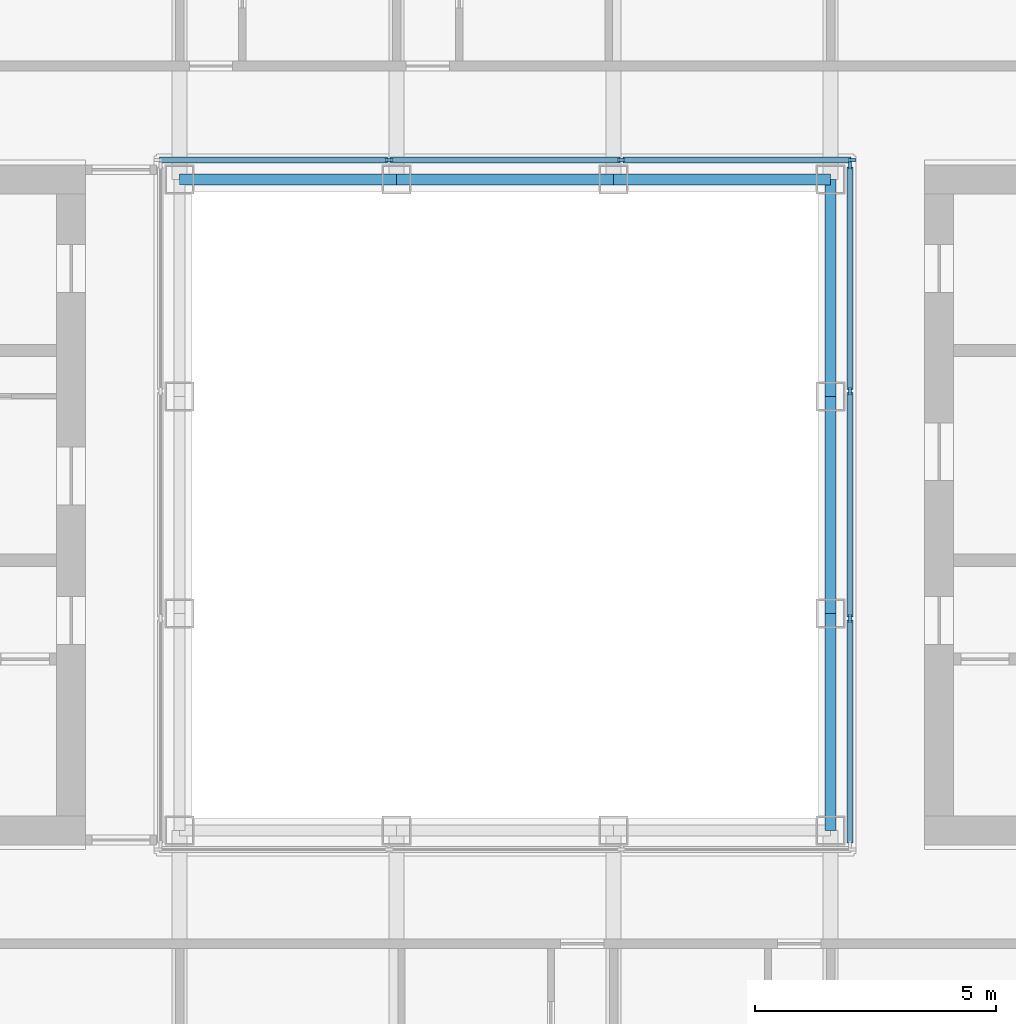
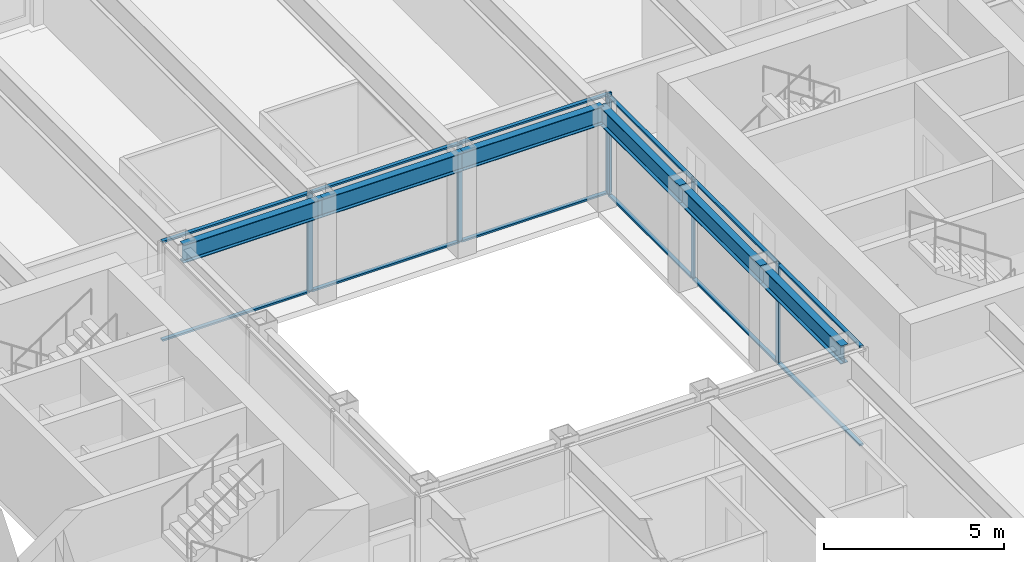
# One storey, part 5 of 17: 18 members, 6 beams, 2 elements without a shape of their own.
"""IFC4 building model written with IfcOpenShell, lengths in metres."""

from ifc_helpers import new_model, si_unit, direction, frame, origin, origin_2d, place, context, subcontext, project, spatial, rectangle, i_section, extrude, material, material_profile, profile_set, type_object, element, aggregate, save


model = new_model("IFC4")

# Units and contexts
model_context = context("Model", 3, precision=1e-05, world=origin(), true_north=direction((0.0, 1.0)))
body_context = subcontext(model_context, "Body", "Model", "MODEL_VIEW")
ifc_project = project(units=[si_unit("LENGTHUNIT", "METRE"), si_unit("AREAUNIT", "SQUARE_METRE"), si_unit("VOLUMEUNIT", "CUBIC_METRE"), si_unit("PLANEANGLEUNIT", "RADIAN"), si_unit("MASSUNIT", "GRAM", prefix="KILO")], contexts=[model_context])

# Site, building, storey
site_placement = place(None, origin())
site = spatial("IfcSite", under=ifc_project, at=site_placement, CompositionType="ELEMENT")
building_placement = place(site_placement, origin())
building = spatial("IfcBuilding", under=site, at=building_placement, Name="Msasa Ring Tower", CompositionType="ELEMENT")
storey_placement = place(building_placement, frame((0.0, 0.0, 168.800048828125)))
storey = spatial("IfcBuildingStorey", under=building, at=storey_placement, Name="L44", CompositionType="ELEMENT", Elevation=168.800048828125)

# Curtain wall, members
ifc_material_1 = material(Name="Aluminium curtain wall with clear glass", Category="aluminium")
curtain_wall_type = type_object("IfcCurtainWallType", Name="CW-W LIGHT WELL CURTAIN WALL", PredefinedType="NOTDEFINED", material=ifc_material_1)
curtain_wall_1_placement = place(storey_placement, origin())
curtain_wall_1 = element("IfcCurtainWall", 1, at=curtain_wall_1_placement, inside=storey, type_object=curtain_wall_type, Name="Light well curtain wall N L44", PredefinedType="NOTDEFINED")
ifc_material_2 = material(Name="Aluminium mullion", Category="aluminium")
ifc_material_profile_1 = material_profile(ifc_material_2, rectangle(XDim=0.06005859375, YDim=0.159912109375, at=origin_2d()), Name="AL 60x160")
ifc_profile_set_1 = profile_set([ifc_material_profile_1], Name="Aluminium mullion")
member_type_1 = type_object("IfcMemberType", Name="CW-W MULLION 60x160", PredefinedType="MULLION", material=ifc_profile_set_1)
member_1_placement = place(storey_placement, frame((-2.409912109375, 7.14990234375, 0.0), z_axis=(0.0, 0.0, 1.0), x_axis=(0.0, 1.0, 0.0)))
member_1 = element("IfcMember", 2, at=member_1_placement, type_object=member_type_1, Name="CW-W mullion 2", PredefinedType="MULLION", context=body_context, shape_type="SweptSolid", body=[
    extrude(rectangle(XDim=0.06005859375, YDim=0.159912109375, at=origin_2d()), origin(), (0.0, 0.0, 1.0), 3.39990234375),
])
member_2_placement = place(storey_placement, frame((2.409912109375, 7.14990234375, 0.0), z_axis=(0.0, 0.0, 1.0), x_axis=(0.0, 1.0, 0.0)))
member_2 = element("IfcMember", 3, at=member_2_placement, type_object=member_type_1, Name="CW-W mullion 3", PredefinedType="MULLION", context=body_context, shape_type="SweptSolid", body=[
    extrude(rectangle(XDim=0.06005859375, YDim=0.159912109375, at=origin_2d()), origin(), (0.0, 0.0, 1.0), 3.39990234375),
])
member_3_placement = place(storey_placement, frame((7.199951171875, 7.14990234375, 0.0), z_axis=(0.0, 0.0, 1.0), x_axis=(0.0, 1.0, 0.0)))
member_3 = element("IfcMember", 4, at=member_3_placement, type_object=member_type_1, Name="CW-W mullion 4", PredefinedType="MULLION", context=body_context, shape_type="SweptSolid", body=[
    extrude(rectangle(XDim=0.06005859375, YDim=0.159912109375, at=origin_2d()), origin(), (0.0, 0.0, 1.0), 3.39990234375),
])

curtain_wall_2_placement = place(storey_placement, origin())
curtain_wall_2 = element("IfcCurtainWall", 5, at=curtain_wall_2_placement, inside=storey, type_object=curtain_wall_type, Name="Light well curtain wall E L44", PredefinedType="NOTDEFINED")
member_4_placement = place(storey_placement, frame((7.14990234375, -2.356689453125, 0.0), z_axis=(0.0, 0.0, 1.0), x_axis=(-1.0, 0.0, 0.0)))
member_4 = element("IfcMember", 6, at=member_4_placement, type_object=member_type_1, Name="CW-W mullion 2", PredefinedType="MULLION", context=body_context, shape_type="SweptSolid", body=[
    extrude(rectangle(XDim=0.06005859375, YDim=0.159912109375, at=origin_2d()), origin(), (0.0, 0.0, 1.0), 3.39990234375),
])
member_5_placement = place(storey_placement, frame((7.14990234375, 2.356689453125, 0.0), z_axis=(0.0, 0.0, 1.0), x_axis=(-1.0, 0.0, 0.0)))
member_5 = element("IfcMember", 7, at=member_5_placement, type_object=member_type_1, Name="CW-W mullion 3", PredefinedType="MULLION", context=body_context, shape_type="SweptSolid", body=[
    extrude(rectangle(XDim=0.06005859375, YDim=0.159912109375, at=origin_2d()), origin(), (0.0, 0.0, 1.0), 3.39990234375),
])
member_6_placement = place(storey_placement, frame((7.14990234375, 7.0400390625, 0.0), z_axis=(0.0, 0.0, 1.0), x_axis=(-1.0, 0.0, 0.0)))
member_6 = element("IfcMember", 8, at=member_6_placement, type_object=member_type_1, Name="CW-W mullion 4", PredefinedType="MULLION", context=body_context, shape_type="SweptSolid", body=[
    extrude(rectangle(XDim=0.06005859375, YDim=0.159912109375, at=origin_2d()), origin(), (0.0, 0.0, 1.0), 3.39990234375),
])

# Member
ifc_material_3 = material(Name="Aluminium transom", Category="aluminium")
ifc_material_profile_2 = material_profile(ifc_material_3, rectangle(XDim=0.1201171875, YDim=0.06005859375, at=origin_2d()), Name="AL 60x120")
ifc_profile_set_2 = profile_set([ifc_material_profile_2], Name="Aluminium transom")
member_type_2 = type_object("IfcMemberType", Name="CW-W TRANSOM 60x120", PredefinedType="USERDEFINED", material=ifc_profile_set_2)
member_7_placement = place(storey_placement, frame((-7.169921875, 7.14990234375, 0.030029296875), z_axis=(1.0, 0.0, 0.0), x_axis=(0.0, 1.0, 0.0)))
member_7 = element("IfcMember", 9, at=member_7_placement, type_object=member_type_2, Name="CW-W transom 1.1", ObjectType="TRANSOM", PredefinedType="USERDEFINED", context=body_context, shape_type="SweptSolid", body=[
    extrude(rectangle(XDim=0.1201171875, YDim=0.06005859375, at=origin_2d()), origin(), (0.0, 0.0, 1.0), 4.72998046875),
])

member_8_placement = place(storey_placement, frame((-7.169921875, 7.14990234375, 3.369873046875), z_axis=(1.0, 0.0, 0.0), x_axis=(0.0, 1.0, 0.0)))
member_8 = element("IfcMember", 10, at=member_8_placement, type_object=member_type_2, Name="CW-W transom 1.2", ObjectType="TRANSOM", PredefinedType="USERDEFINED", context=body_context, shape_type="SweptSolid", body=[
    extrude(rectangle(XDim=0.1201171875, YDim=0.06005859375, at=origin_2d()), origin(), (0.0, 0.0, 1.0), 4.72998046875),
])

member_9_placement = place(storey_placement, frame((-2.3798828125, 7.14990234375, 0.030029296875), z_axis=(1.0, 0.0, 0.0), x_axis=(0.0, 1.0, 0.0)))
member_9 = element("IfcMember", 11, at=member_9_placement, type_object=member_type_2, Name="CW-W transom 2.1", ObjectType="TRANSOM", PredefinedType="USERDEFINED", context=body_context, shape_type="SweptSolid", body=[
    extrude(rectangle(XDim=0.1201171875, YDim=0.06005859375, at=origin_2d()), origin(), (0.0, 0.0, 1.0), 4.759765625),
])

member_10_placement = place(storey_placement, frame((-2.3798828125, 7.14990234375, 3.369873046875), z_axis=(1.0, 0.0, 0.0), x_axis=(0.0, 1.0, 0.0)))
member_10 = element("IfcMember", 12, at=member_10_placement, type_object=member_type_2, Name="CW-W transom 2.2", ObjectType="TRANSOM", PredefinedType="USERDEFINED", context=body_context, shape_type="SweptSolid", body=[
    extrude(rectangle(XDim=0.1201171875, YDim=0.06005859375, at=origin_2d()), origin(), (0.0, 0.0, 1.0), 4.759765625),
])

member_11_placement = place(storey_placement, frame((2.43994140625, 7.14990234375, 0.030029296875), z_axis=(1.0, 0.0, 0.0), x_axis=(0.0, 1.0, 0.0)))
member_11 = element("IfcMember", 13, at=member_11_placement, type_object=member_type_2, Name="CW-W transom 3.1", ObjectType="TRANSOM", PredefinedType="USERDEFINED", context=body_context, shape_type="SweptSolid", body=[
    extrude(rectangle(XDim=0.1201171875, YDim=0.06005859375, at=origin_2d()), origin(), (0.0, 0.0, 1.0), 4.72998046875),
])

member_12_placement = place(storey_placement, frame((2.43994140625, 7.14990234375, 3.369873046875), z_axis=(1.0, 0.0, 0.0), x_axis=(0.0, 1.0, 0.0)))
member_12 = element("IfcMember", 14, at=member_12_placement, type_object=member_type_2, Name="CW-W transom 3.2", ObjectType="TRANSOM", PredefinedType="USERDEFINED", context=body_context, shape_type="SweptSolid", body=[
    extrude(rectangle(XDim=0.1201171875, YDim=0.06005859375, at=origin_2d()), origin(), (0.0, 0.0, 1.0), 4.72998046875),
])

aggregate(curtain_wall_1, [member_1, member_2, member_3, member_7, member_8, member_9, member_10, member_11, member_12])

member_13_placement = place(storey_placement, frame((7.14990234375, -7.010009765625, 0.030029296875), z_axis=(0.0, 1.0, 0.0), x_axis=(-1.0, 0.0, 0.0)))
member_13 = element("IfcMember", 15, at=member_13_placement, type_object=member_type_2, Name="CW-W transom 1.1", ObjectType="TRANSOM", PredefinedType="USERDEFINED", context=body_context, shape_type="SweptSolid", body=[
    extrude(rectangle(XDim=0.1201171875, YDim=0.06005859375, at=origin_2d()), origin(), (0.0, 0.0, 1.0), 4.623291015625),
])

member_14_placement = place(storey_placement, frame((7.14990234375, -7.010009765625, 3.369873046875), z_axis=(0.0, 1.0, 0.0), x_axis=(-1.0, 0.0, 0.0)))
member_14 = element("IfcMember", 16, at=member_14_placement, type_object=member_type_2, Name="CW-W transom 1.2", ObjectType="TRANSOM", PredefinedType="USERDEFINED", context=body_context, shape_type="SweptSolid", body=[
    extrude(rectangle(XDim=0.1201171875, YDim=0.06005859375, at=origin_2d()), origin(), (0.0, 0.0, 1.0), 4.623291015625),
])

member_15_placement = place(storey_placement, frame((7.14990234375, -2.32666015625, 0.030029296875), z_axis=(0.0, 1.0, 0.0), x_axis=(-1.0, 0.0, 0.0)))
member_15 = element("IfcMember", 17, at=member_15_placement, type_object=member_type_2, Name="CW-W transom 2.1", ObjectType="TRANSOM", PredefinedType="USERDEFINED", context=body_context, shape_type="SweptSolid", body=[
    extrude(rectangle(XDim=0.1201171875, YDim=0.06005859375, at=origin_2d()), origin(), (0.0, 0.0, 1.0), 4.6533203125),
])

member_16_placement = place(storey_placement, frame((7.14990234375, -2.32666015625, 3.369873046875), z_axis=(0.0, 1.0, 0.0), x_axis=(-1.0, 0.0, 0.0)))
member_16 = element("IfcMember", 18, at=member_16_placement, type_object=member_type_2, Name="CW-W transom 2.2", ObjectType="TRANSOM", PredefinedType="USERDEFINED", context=body_context, shape_type="SweptSolid", body=[
    extrude(rectangle(XDim=0.1201171875, YDim=0.06005859375, at=origin_2d()), origin(), (0.0, 0.0, 1.0), 4.6533203125),
])

member_17_placement = place(storey_placement, frame((7.14990234375, 2.38671875, 0.030029296875), z_axis=(0.0, 1.0, 0.0), x_axis=(-1.0, 0.0, 0.0)))
member_17 = element("IfcMember", 19, at=member_17_placement, type_object=member_type_2, Name="CW-W transom 3.1", ObjectType="TRANSOM", PredefinedType="USERDEFINED", context=body_context, shape_type="SweptSolid", body=[
    extrude(rectangle(XDim=0.1201171875, YDim=0.06005859375, at=origin_2d()), origin(), (0.0, 0.0, 1.0), 4.623291015625),
])

member_18_placement = place(storey_placement, frame((7.14990234375, 2.38671875, 3.369873046875), z_axis=(0.0, 1.0, 0.0), x_axis=(-1.0, 0.0, 0.0)))
member_18 = element("IfcMember", 20, at=member_18_placement, type_object=member_type_2, Name="CW-W transom 3.2", ObjectType="TRANSOM", PredefinedType="USERDEFINED", context=body_context, shape_type="SweptSolid", body=[
    extrude(rectangle(XDim=0.1201171875, YDim=0.06005859375, at=origin_2d()), origin(), (0.0, 0.0, 1.0), 4.623291015625),
])

aggregate(curtain_wall_2, [member_4, member_5, member_6, member_13, member_14, member_15, member_16, member_17, member_18])

# Beams
ifc_material_4 = material(Name="Steel S355", Category="steel")
ifc_material_profile_3 = material_profile(ifc_material_4, i_section(OverallWidth=0.230224609375, OverallDepth=0.6171875, WebThickness=0.01318359375, FlangeThickness=0.022216796875, FilletRadius=0.0126953125, at=origin_2d()), Name="UB 610x229x140")
ifc_profile_set_3 = profile_set([ifc_material_profile_3], Name="Steel S355")
beam_type = type_object("IfcBeamType", Name="RB1 UB 610x229x140", PredefinedType="BEAM", material=ifc_profile_set_3)
for number, where, z_axis, x_axis, name in (
    (21, (6.75, -6.75, 3.09130859375), (0.0, 1.0, 0.0), (-1.0, 0.0, 0.0), "Inner ring beam IR+6.75-6.75 under L45"),
    (22, (6.75, -2.25, 3.09130859375), (0.0, 1.0, 0.0), (-1.0, 0.0, 0.0), "Inner ring beam IR+6.75-2.25 under L45"),
    (23, (6.75, 2.25, 3.09130859375), (0.0, 1.0, 0.0), (-1.0, 0.0, 0.0), "Inner ring beam IR+6.75+2.25 under L45"),
    (24, (6.75, 6.75, 3.09130859375), (-1.0, 0.0, 0.0), (0.0, -1.0, 0.0), "Inner ring beam IR+6.75+6.75 under L45"),
    (25, (2.25, 6.75, 3.09130859375), (-1.0, 0.0, 0.0), (0.0, -1.0, 0.0), "Inner ring beam IR+2.25+6.75 under L45"),
    (26, (-2.25, 6.75, 3.09130859375), (-1.0, 0.0, 0.0), (0.0, -1.0, 0.0), "Inner ring beam IR-2.25+6.75 under L45"),
):
    element("IfcBeam", number, at=place(storey_placement, frame(where, z_axis=z_axis, x_axis=x_axis)), inside=storey, type_object=beam_type, Name=name, PredefinedType="BEAM", context=body_context, shape_type="SweptSolid", body=[
        extrude(i_section(OverallWidth=0.230224609375, OverallDepth=0.6171875, WebThickness=0.01318359375, FlangeThickness=0.022216796875, FilletRadius=0.0126953125, at=origin_2d()), origin(), (0.0, 0.0, 1.0), 4.5),
    ])

save(model, "model.ifc")
